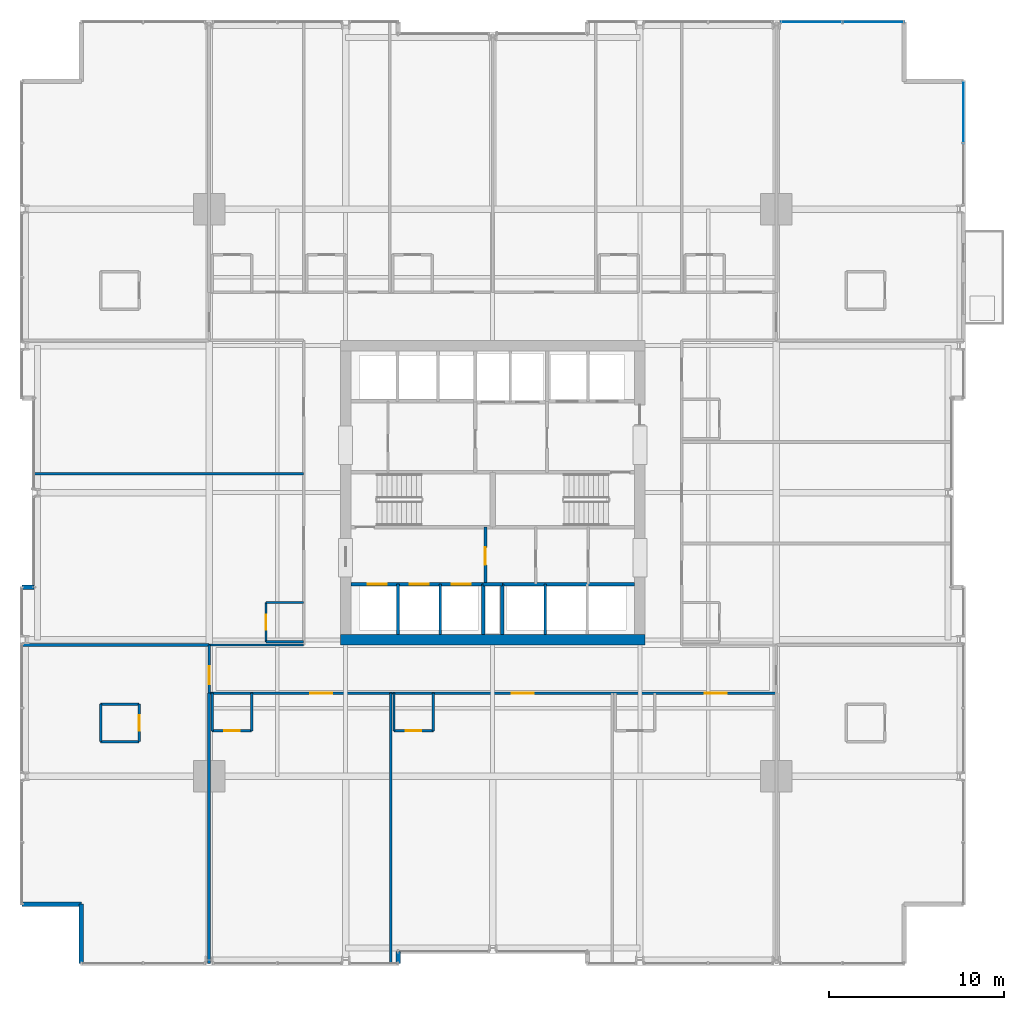
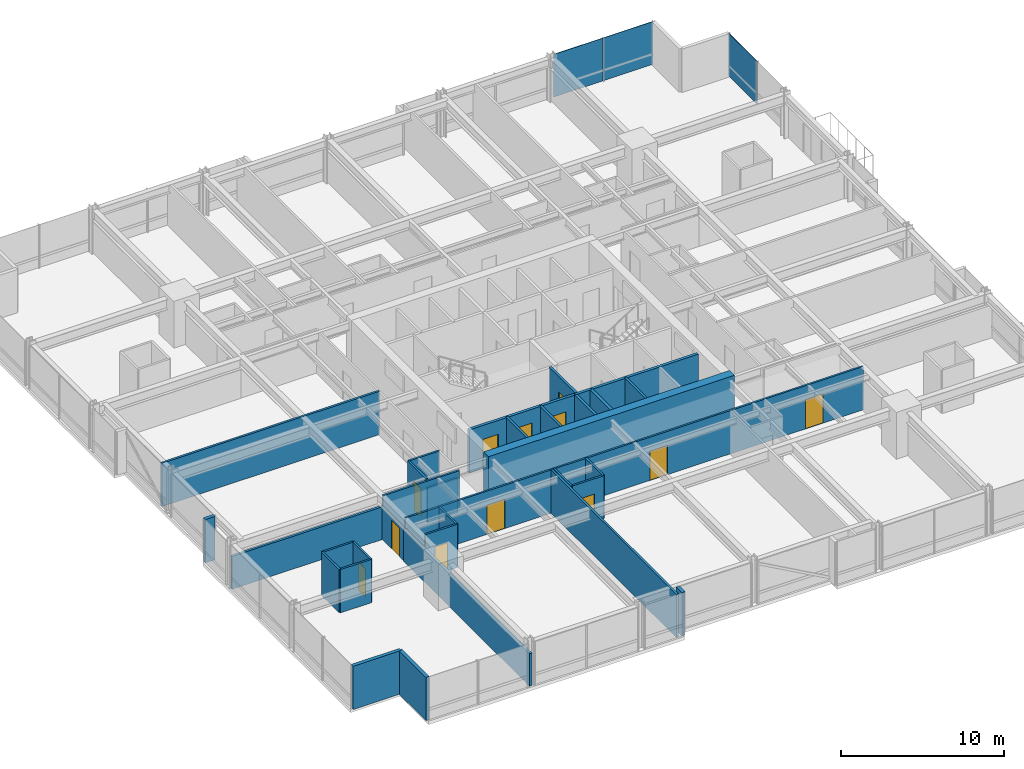
# One storey, part 30 of 38: 34 walls, 12 doors, 3 plates, 12 openings, 2 elements without a shape of their own.
"""IFC4 building model written with IfcOpenShell, lengths in metres."""

from ifc_helpers import new_model, si_unit, direction, frame, frame_2d, origin, origin_2d, place, context, subcontext, project, spatial, rectangle, extrude, material, layer, layer_set, type_object, element, fill, aggregate, save


model = new_model("IFC4")

# Units and contexts
model_context = context("Model", 3, precision=1e-05, world=origin(), true_north=direction((0.0, 1.0)))
body_context = subcontext(model_context, "Body", "Model", "MODEL_VIEW")
ifc_project = project(units=[si_unit("LENGTHUNIT", "METRE"), si_unit("AREAUNIT", "SQUARE_METRE"), si_unit("VOLUMEUNIT", "CUBIC_METRE"), si_unit("PLANEANGLEUNIT", "RADIAN"), si_unit("MASSUNIT", "GRAM", prefix="KILO")], contexts=[model_context])

# Site, building, storey
site_placement = place(None, origin())
site = spatial("IfcSite", under=ifc_project, at=site_placement, CompositionType="ELEMENT")
building_placement = place(site_placement, origin())
building = spatial("IfcBuilding", under=site, at=building_placement, Name="Drelvath Grand Hotel", CompositionType="ELEMENT")
storey_placement = place(building_placement, frame((0.0, 0.0, 71.699951171875)))
storey = spatial("IfcBuildingStorey", under=building, at=storey_placement, Name="L17", CompositionType="ELEMENT", Elevation=71.699951171875)

# Curtain wall, plate
ifc_material_1 = material(Name="Warm Bronze Anodised Aluminium Frame", Category="aluminium")
ifc_layer_1 = layer(ifc_material_1, 0.199951171875)
ifc_layer_set_1 = layer_set([ifc_layer_1], Name="Warm Bronze Anodised Aluminium Frame")
curtain_wall_type = type_object("IfcCurtainWallType", Name="Stick Curtain Wall CW-02 Warm Bronze Low-Rise", PredefinedType="NOTDEFINED", material=ifc_layer_set_1)
curtain_wall_1_placement = place(storey_placement, origin())
curtain_wall_1 = element("IfcCurtainWall", 1, at=curtain_wall_1_placement, inside=storey, type_object=curtain_wall_type, Name="L17 CW-02 Curtain Wall CW02-L17-EN3", PredefinedType="NOTDEFINED")
ifc_material_2 = material(Name="Low-E Triple Silver Vision Glass Bronze Tint", Category="glass")
ifc_layer_2 = layer(ifc_material_2, 0.035888671875)
ifc_layer_set_2 = layer_set([ifc_layer_2], Name="Low-E Triple Silver Vision Glass Bronze Tint")
plate_type = type_object("IfcPlateType", Name="Curtain Wall Vision Panel CW-02 36mm", PredefinedType="CURTAIN_PANEL", material=ifc_layer_set_2)
plate_1_placement = place(storey_placement, frame((26.8798828125, 48.732421875, 0.02001953125), z_axis=(0.0, 0.0, 1.0), x_axis=(0.0, -1.0, 0.0)))
plate_1 = element("IfcPlate", 2, at=plate_1_placement, type_object=plate_type, Name="CW02-L17-EN3 Glazed Panel 1", PredefinedType="CURTAIN_PANEL", context=body_context, shape_type="SweptSolid", body=[
    extrude(rectangle(XDim=3.49560546875, YDim=0.035888671875, at=origin_2d()), origin(), (0.0, 0.0, 1.0), 3.199951171875),
])
aggregate(curtain_wall_1, [plate_1])

# Curtain wall, plates
curtain_wall_2_placement = place(storey_placement, origin())
curtain_wall_2 = element("IfcCurtainWall", 3, at=curtain_wall_2_placement, inside=storey, type_object=curtain_wall_type, Name="L17 CW-02 Curtain Wall CW02-L17-NE3", PredefinedType="NOTDEFINED")
plate_2_placement = place(storey_placement, frame((18.19677734375, 53.8798828125, 0.02001953125), z_axis=(0.0, 0.0, 1.0), x_axis=(1.0, 0.0, 0.0)))
plate_2 = element("IfcPlate", 4, at=plate_2_placement, type_object=plate_type, Name="CW02-L17-NE3 Glazed Panel 1", PredefinedType="CURTAIN_PANEL", context=body_context, shape_type="SweptSolid", body=[
    extrude(rectangle(XDim=3.49560546875, YDim=0.035888671875, at=origin_2d()), origin(), (0.0, 0.0, 1.0), 3.199951171875),
])
plate_3_placement = place(storey_placement, frame((21.732421875, 53.8798828125, 0.02001953125), z_axis=(0.0, 0.0, 1.0), x_axis=(1.0, 0.0, 0.0)))
plate_3 = element("IfcPlate", 5, at=plate_3_placement, type_object=plate_type, Name="CW02-L17-NE3 Glazed Panel 2", PredefinedType="CURTAIN_PANEL", context=body_context, shape_type="SweptSolid", body=[
    extrude(rectangle(XDim=3.49560546875, YDim=0.035888671875, at=origin_2d()), origin(), (0.0, 0.0, 1.0), 3.199951171875),
])
aggregate(curtain_wall_2, [plate_2, plate_3])

# Wall, openings, doors
ifc_material_3 = material(Name="Concrete C40/50", Category="concrete")
ifc_layer_3 = layer(ifc_material_3, 0.199951171875)
ifc_layer_set_3 = layer_set([ifc_layer_3], Name="Concrete C40/50")
wall_type_1 = type_object("IfcWallType", Name="Core Hoistway Fire Wall 200", PredefinedType="SOLIDWALL", material=ifc_layer_set_3)
wall_1_placement = place(storey_placement, frame((-0.550048828125, 21.780029296875, 0.0), z_axis=(0.0, 0.0, 1.0), x_axis=(-1.0, 0.0, 0.0)))
wall_1 = element("IfcWall", 6, at=wall_1_placement, inside=storey, type_object=wall_type_1, Name="L17 Bank 1 Hoistway Wall", PredefinedType="SOLIDWALL", context=body_context, shape_type="SweptSolid", body=[
    extrude(rectangle(XDim=7.550048828125, YDim=0.199951171875, at=frame_2d((3.77490234375, 0.0))), origin(), (0.0, 0.0, 1.0), 3.239990234375),
])
opening_1_placement = place(wall_1_placement, frame((5.5, 0.0, 0.0)))
opening_1 = element("IfcOpeningElement", 7, at=opening_1_placement, cuts=wall_1, Name="Opening LD-PE-1", PredefinedType="OPENING", context=body_context, shape_type="SweptSolid", body=[
    extrude(rectangle(XDim=1.10009765625, YDim=2.199951171875, at=frame_2d((0.550048828125, 1.10009765625))), frame((0.0, 0.10986328125, 0.0), z_axis=(0.0, -1.0, 0.0), x_axis=(1.0, 0.0, 0.0)), (0.0, 0.0, 1.0), 0.219970703125),
])
opening_2_placement = place(wall_1_placement, frame((3.10009765625, 0.0, 0.0)))
opening_2 = element("IfcOpeningElement", 8, at=opening_2_placement, cuts=wall_1, Name="Opening LD-PE-2", PredefinedType="OPENING", context=body_context, shape_type="SweptSolid", body=[
    extrude(rectangle(XDim=1.10009765625, YDim=2.199951171875, at=frame_2d((0.550048828125, 1.10009765625))), frame((0.0, 0.10986328125, 0.0), z_axis=(0.0, -1.0, 0.0), x_axis=(1.0, 0.0, 0.0)), (0.0, 0.0, 1.0), 0.219970703125),
])
opening_3_placement = place(wall_1_placement, frame((0.699951171875, 0.0, 0.0)))
opening_3 = element("IfcOpeningElement", 9, at=opening_3_placement, cuts=wall_1, Name="Opening LD-PE-3", PredefinedType="OPENING", context=body_context, shape_type="SweptSolid", body=[
    extrude(rectangle(XDim=1.10009765625, YDim=2.199951171875, at=frame_2d((0.550048828125, 1.10009765625))), frame((0.0, 0.10986328125, 0.0), z_axis=(0.0, -1.0, 0.0), x_axis=(1.0, 0.0, 0.0)), (0.0, 0.0, 1.0), 0.219970703125),
])
ifc_material_4 = material(Name="Stainless Steel S355", Category="steel")
door_type_1 = type_object("IfcDoorType", Name="Passenger Lift Sliding Landing Door 1100x2200", OperationType="NOTDEFINED", PredefinedType="DOOR", material=ifc_material_4)
door_1_placement = place(opening_1_placement, origin())
door_1 = element("IfcDoor", 10, at=door_1_placement, inside=storey, type_object=door_type_1, Name="L17 Lift PE-1 Landing Door", OperationType="SLIDING_TO_LEFT", OverallHeight=2.199951171875, OverallWidth=1.10009765625, PredefinedType="DOOR", context=body_context, shape_type="SweptSolid", body=[
    extrude(rectangle(XDim=1.10009765625, YDim=2.199951171875, at=frame_2d((0.550048828125, 1.10009765625))), frame((0.0, 0.02490234375, 0.0), z_axis=(0.0, -1.0, 0.0), x_axis=(1.0, 0.0, 0.0)), (0.0, 0.0, 1.0), 0.050048828125),
])
fill(opening_1, door_1)
door_2_placement = place(opening_2_placement, origin())
door_2 = element("IfcDoor", 11, at=door_2_placement, inside=storey, type_object=door_type_1, Name="L17 Lift PE-2 Landing Door", OperationType="SLIDING_TO_LEFT", OverallHeight=2.199951171875, OverallWidth=1.10009765625, PredefinedType="DOOR", context=body_context, shape_type="SweptSolid", body=[
    extrude(rectangle(XDim=1.10009765625, YDim=2.199951171875, at=frame_2d((0.550048828125, 1.10009765625))), frame((0.0, 0.02490234375, 0.0), z_axis=(0.0, -1.0, 0.0), x_axis=(1.0, 0.0, 0.0)), (0.0, 0.0, 1.0), 0.050048828125),
])
fill(opening_2, door_2)
door_3_placement = place(opening_3_placement, origin())
door_3 = element("IfcDoor", 12, at=door_3_placement, inside=storey, type_object=door_type_1, Name="L17 Lift PE-3 Landing Door", OperationType="SLIDING_TO_LEFT", OverallHeight=2.199951171875, OverallWidth=1.10009765625, PredefinedType="DOOR", context=body_context, shape_type="SweptSolid", body=[
    extrude(rectangle(XDim=1.10009765625, YDim=2.199951171875, at=frame_2d((0.550048828125, 1.10009765625))), frame((0.0, 0.02490234375, 0.0), z_axis=(0.0, -1.0, 0.0), x_axis=(1.0, 0.0, 0.0)), (0.0, 0.0, 1.0), 0.050048828125),
])
fill(opening_3, door_3)

# Walls
wall_2_placement = place(storey_placement, frame((-0.550048828125, 18.89990234375, 0.0), z_axis=(0.0, 0.0, 1.0), x_axis=(0.0, 1.0, 0.0)))
element("IfcWall", 13, at=wall_2_placement, inside=storey, type_object=wall_type_1, Name="L17 Bank 1 East Wall", PredefinedType="SOLIDWALL", context=body_context, shape_type="SweptSolid", body=[
    extrude(rectangle(XDim=2.880126953125, YDim=0.199951171875, at=frame_2d((1.43994140625, 0.0))), origin(), (0.0, 0.0, 1.0), 3.239990234375),
])
wall_3_placement = place(storey_placement, frame((8.10009765625, 21.780029296875, 0.0), z_axis=(0.0, 0.0, 1.0), x_axis=(-1.0, 0.0, 0.0)))
element("IfcWall", 14, at=wall_3_placement, inside=storey, type_object=wall_type_1, Name="L17 Bank 2 Hoistway Wall", PredefinedType="SOLIDWALL", context=body_context, shape_type="SweptSolid", body=[
    extrude(rectangle(XDim=7.550048828125, YDim=0.199951171875, at=frame_2d((3.77490234375, 0.0))), origin(), (0.0, 0.0, 1.0), 3.239990234375),
])
wall_4_placement = place(storey_placement, frame((0.550048828125, 18.89990234375, 0.0), z_axis=(0.0, 0.0, 1.0), x_axis=(0.0, 1.0, 0.0)))
element("IfcWall", 15, at=wall_4_placement, inside=storey, type_object=wall_type_1, Name="L17 Bank 2 West Wall", PredefinedType="SOLIDWALL", context=body_context, shape_type="SweptSolid", body=[
    extrude(rectangle(XDim=2.880126953125, YDim=0.199951171875, at=frame_2d((1.43994140625, 0.0))), origin(), (0.0, 0.0, 1.0), 3.239990234375),
])
wall_5_placement = place(storey_placement, frame((-0.550048828125, 21.780029296875, 0.0), z_axis=(0.0, 0.0, 1.0), x_axis=(1.0, 0.0, 0.0)))
element("IfcWall", 16, at=wall_5_placement, inside=storey, type_object=wall_type_1, Name="L17 Core Riser Wall", PredefinedType="SOLIDWALL", context=body_context, shape_type="SweptSolid", body=[
    extrude(rectangle(XDim=1.10009765625, YDim=0.199951171875, at=frame_2d((0.550048828125, 0.0))), origin(), (0.0, 0.0, 1.0), 3.239990234375),
])
ifc_material_5 = material(Name="Gypsum Fireboard Partition")
ifc_layer_4 = layer(ifc_material_5, 0.1650390625)
ifc_layer_set_4 = layer_set([ifc_layer_4], Name="Gypsum Fireboard Partition")
wall_type_2 = type_object("IfcWallType", Name="Core Shaft Partition 165", PredefinedType="PARTITIONING", material=ifc_layer_set_4)
for number, where, z_axis, x_axis, name in (
    (17, (-5.39990234375, 18.89990234375, 0.0), (0.0, 0.0, 1.0), (0.0, 1.0, 0.0), "L17 Lift PE-1/2 Divider"),
    (18, (-3.0, 18.89990234375, 0.0), (0.0, 0.0, 1.0), (0.0, 1.0, 0.0), "L17 Lift PE-2/3 Divider"),
    (19, (3.0, 18.89990234375, 0.0), (0.0, 0.0, 1.0), (0.0, 1.0, 0.0), "L17 Lift PE-4/5 Divider"),
):
    element("IfcWall", number, at=place(storey_placement, frame(where, z_axis=z_axis, x_axis=x_axis)), inside=storey, type_object=wall_type_2, Name=name, PredefinedType="PARTITIONING", context=body_context, shape_type="SweptSolid", body=[
        extrude(rectangle(XDim=2.880126953125, YDim=0.1650390625, at=frame_2d((1.43994140625, 0.0))), origin(), (0.0, 0.0, 1.0), 3.239990234375),
    ])

# Wall, openings, doors
ifc_layer_5 = layer(ifc_material_5, 0.135009765625)
ifc_layer_set_5 = layer_set([ifc_layer_5], Name="Gypsum Fireboard Partition")
wall_type_3 = type_object("IfcWallType", Name="Corridor Fire Barrier Wall 135", PredefinedType="PARTITIONING", material=ifc_layer_set_5)
wall_6_placement = place(storey_placement, frame((-16.199951171875, 15.550048828125, 0.0), z_axis=(0.0, 0.0, 1.0), x_axis=(1.0, 0.0, 0.0)))
wall_6 = element("IfcWall", 20, at=wall_6_placement, inside=storey, type_object=wall_type_3, Name="L17 South Corridor Wall", PredefinedType="PARTITIONING", context=body_context, shape_type="SweptSolid", body=[
    extrude(rectangle(XDim=32.39990234375, YDim=0.135009765625, at=frame_2d((16.199951171875, 0.0))), origin(), (0.0, 0.0, 1.0), 3.239990234375),
])
opening_4_placement = place(wall_6_placement, frame((5.77490234375, 0.0, 0.0)))
opening_4 = element("IfcOpeningElement", 21, at=opening_4_placement, cuts=wall_6, Name="Opening D-T1G4-027", PredefinedType="OPENING", context=body_context, shape_type="SweptSolid", body=[
    extrude(rectangle(XDim=1.260009765625, YDim=2.199951171875, at=frame_2d((0.6298828125, 1.10009765625))), frame((0.0, 0.077392578125, 0.0), z_axis=(0.0, -1.0, 0.0), x_axis=(1.0, 0.0, 0.0)), (0.0, 0.0, 1.0), 0.155029296875),
])
opening_5_placement = place(wall_6_placement, frame((17.28564453125, 0.0, 0.0)))
opening_5 = element("IfcOpeningElement", 22, at=opening_5_placement, cuts=wall_6, Name="Opening D-T1G4-029", PredefinedType="OPENING", context=body_context, shape_type="SweptSolid", body=[
    extrude(rectangle(XDim=1.260009765625, YDim=2.199951171875, at=frame_2d((0.6298828125, 1.10009765625))), frame((0.0, 0.077392578125, 0.0), z_axis=(0.0, -1.0, 0.0), x_axis=(1.0, 0.0, 0.0)), (0.0, 0.0, 1.0), 0.155029296875),
])
opening_6_placement = place(wall_6_placement, frame((28.29541015625, 0.0, 0.0)))
opening_6 = element("IfcOpeningElement", 23, at=opening_6_placement, cuts=wall_6, Name="Opening D-T1G4-031", PredefinedType="OPENING", context=body_context, shape_type="SweptSolid", body=[
    extrude(rectangle(XDim=1.260009765625, YDim=2.199951171875, at=frame_2d((0.6298828125, 1.10009765625))), frame((0.0, 0.077392578125, 0.0), z_axis=(0.0, -1.0, 0.0), x_axis=(1.0, 0.0, 0.0)), (0.0, 0.0, 1.0), 0.155029296875),
])
ifc_material_6 = material(Name="Hardwood Walnut Timber", Category="wood")
door_type_2 = type_object("IfcDoorType", Name="Suite Entrance Fire Door 1260x2200", OperationType="NOTDEFINED", PredefinedType="DOOR", material=ifc_material_6)
door_4_placement = place(opening_4_placement, origin())
door_4 = element("IfcDoor", 24, at=door_4_placement, inside=storey, type_object=door_type_2, Name="L17 Corner Suite Entry Door", OperationType="SINGLE_SWING_RIGHT", OverallHeight=2.199951171875, OverallWidth=1.260009765625, PredefinedType="DOOR", context=body_context, shape_type="SweptSolid", body=[
    extrude(rectangle(XDim=1.260009765625, YDim=2.199951171875, at=frame_2d((0.6298828125, 1.10009765625))), frame((0.0, 0.02490234375, 0.0), z_axis=(0.0, -1.0, 0.0), x_axis=(1.0, 0.0, 0.0)), (0.0, 0.0, 1.0), 0.050048828125),
])
fill(opening_4, door_4)
door_5_placement = place(opening_5_placement, origin())
door_5 = element("IfcDoor", 25, at=door_5_placement, inside=storey, type_object=door_type_2, Name="L17 Corner Suite Entry Door", OperationType="SINGLE_SWING_RIGHT", OverallHeight=2.199951171875, OverallWidth=1.260009765625, PredefinedType="DOOR", context=body_context, shape_type="SweptSolid", body=[
    extrude(rectangle(XDim=1.260009765625, YDim=2.199951171875, at=frame_2d((0.6298828125, 1.10009765625))), frame((0.0, 0.02490234375, 0.0), z_axis=(0.0, -1.0, 0.0), x_axis=(1.0, 0.0, 0.0)), (0.0, 0.0, 1.0), 0.050048828125),
])
fill(opening_5, door_5)
door_6_placement = place(opening_6_placement, origin())
door_6 = element("IfcDoor", 26, at=door_6_placement, inside=storey, type_object=door_type_2, Name="L17 Corner Suite Entry Door", OperationType="SINGLE_SWING_RIGHT", OverallHeight=2.199951171875, OverallWidth=1.260009765625, PredefinedType="DOOR", context=body_context, shape_type="SweptSolid", body=[
    extrude(rectangle(XDim=1.260009765625, YDim=2.199951171875, at=frame_2d((0.6298828125, 1.10009765625))), frame((0.0, 0.02490234375, 0.0), z_axis=(0.0, -1.0, 0.0), x_axis=(1.0, 0.0, 0.0)), (0.0, 0.0, 1.0), 0.050048828125),
])
fill(opening_6, door_6)

# Wall
wall_7_placement = place(storey_placement, frame((-16.199951171875, 18.300048828125, 0.0), z_axis=(0.0, 0.0, 1.0), x_axis=(1.0, 0.0, 0.0)))
element("IfcWall", 27, at=wall_7_placement, inside=storey, type_object=wall_type_3, Name="L17 SW Spur Inner Wall", PredefinedType="PARTITIONING", context=body_context, shape_type="SweptSolid", body=[
    extrude(rectangle(XDim=5.39990234375, YDim=0.135009765625, at=frame_2d((2.699951171875, 0.0))), origin(), (0.0, 0.0, 1.0), 3.239990234375),
])

# Wall, opening, door
wall_8_placement = place(storey_placement, frame((-16.199951171875, 15.550048828125, 0.0), z_axis=(0.0, 0.0, 1.0), x_axis=(0.0, 1.0, 0.0)))
wall_8 = element("IfcWall", 28, at=wall_8_placement, inside=storey, type_object=wall_type_3, Name="L17 South Corridor West End", PredefinedType="PARTITIONING", context=body_context, shape_type="SweptSolid", body=[
    extrude(rectangle(XDim=2.75, YDim=0.135009765625, at=frame_2d((1.375, 0.0))), origin(), (0.0, 0.0, 1.0), 2.451904296875),
])
opening_7_placement = place(wall_8_placement, frame((0.52001953125, 0.0, 0.0)))
opening_7 = element("IfcOpeningElement", 29, at=opening_7_placement, cuts=wall_8, Name="Opening D-T1G4-019", PredefinedType="OPENING", context=body_context, shape_type="SweptSolid", body=[
    extrude(rectangle(XDim=1.02001953125, YDim=2.14990234375, at=frame_2d((0.510009765625, 1.074951171875))), frame((0.0, 0.077392578125, 0.0), z_axis=(0.0, -1.0, 0.0), x_axis=(1.0, 0.0, 0.0)), (0.0, 0.0, 1.0), 0.155029296875),
])
door_type_3 = type_object("IfcDoorType", Name="Amenity Meeting Fire Door 1020x2150", OperationType="NOTDEFINED", PredefinedType="DOOR", material=ifc_material_6)
door_7_placement = place(opening_7_placement, origin())
door_7 = element("IfcDoor", 30, at=door_7_placement, inside=storey, type_object=door_type_3, Name="L17 Corner Suite Entry Door", OperationType="SINGLE_SWING_RIGHT", OverallHeight=2.14990234375, OverallWidth=1.02001953125, PredefinedType="DOOR", context=body_context, shape_type="SweptSolid", body=[
    extrude(rectangle(XDim=1.02001953125, YDim=2.14990234375, at=frame_2d((0.510009765625, 1.074951171875))), frame((0.0, 0.02490234375, 0.0), z_axis=(0.0, -1.0, 0.0), x_axis=(1.0, 0.0, 0.0)), (0.0, 0.0, 1.0), 0.050048828125),
])
fill(opening_7, door_7)

# Walls
ifc_material_7 = material(Name="Moisture-Resistant Gypsum Board")
ifc_layer_6 = layer(ifc_material_7, 0.139892578125)
ifc_layer_set_6 = layer_set([ifc_layer_6], Name="Moisture-Resistant Gypsum Board")
wall_type_4 = type_object("IfcWallType", Name="En-Suite Plumbing Wall 140", PredefinedType="PLUMBINGWALL", material=ifc_layer_set_6)
for number, where, z_axis, x_axis, name in (
    (31, (-22.39990234375, 12.780029296875, 0.0), (0.0, 0.0, 1.0), (1.0, 0.0, 0.0), "L17 Corner En-Suite South"),
    (32, (-22.39990234375, 14.929931640625, 0.0), (0.0, 0.0, 1.0), (1.0, 0.0, 0.0), "L17 Corner En-Suite North"),
):
    element("IfcWall", number, at=place(storey_placement, frame(where, z_axis=z_axis, x_axis=x_axis)), inside=storey, type_object=wall_type_4, Name=name, PredefinedType="PLUMBINGWALL", context=body_context, shape_type="SweptSolid", body=[
        extrude(rectangle(XDim=2.199951171875, YDim=0.139892578125, at=frame_2d((1.10009765625, 0.0))), origin(), (0.0, 0.0, 1.0), 3.239990234375),
    ])
wall_9_placement = place(storey_placement, frame((-22.39990234375, 12.780029296875, 0.0), z_axis=(0.0, 0.0, 1.0), x_axis=(0.0, 1.0, 0.0)))
element("IfcWall", 33, at=wall_9_placement, inside=storey, type_object=wall_type_4, Name="L17 Corner En-Suite West", PredefinedType="PLUMBINGWALL", context=body_context, shape_type="SweptSolid", body=[
    extrude(rectangle(XDim=2.14990234375, YDim=0.139892578125, at=frame_2d((1.074951171875, 0.0))), origin(), (0.0, 0.0, 1.0), 3.239990234375),
])

# Wall, opening, door
wall_10_placement = place(storey_placement, frame((-20.199951171875, 12.780029296875, 0.0), z_axis=(0.0, 0.0, 1.0), x_axis=(0.0, 1.0, 0.0)))
wall_10 = element("IfcWall", 34, at=wall_10_placement, inside=storey, type_object=wall_type_4, Name="L17 Corner En-Suite East", PredefinedType="PLUMBINGWALL", context=body_context, shape_type="SweptSolid", body=[
    extrude(rectangle(XDim=2.14990234375, YDim=0.139892578125, at=frame_2d((1.074951171875, 0.0))), origin(), (0.0, 0.0, 1.0), 3.239990234375),
])
opening_8_placement = place(wall_10_placement, frame((0.6201171875, 0.0, 0.0)))
opening_8 = element("IfcOpeningElement", 35, at=opening_8_placement, cuts=wall_10, Name="Opening D-T1G4-018", PredefinedType="OPENING", context=body_context, shape_type="SweptSolid", body=[
    extrude(rectangle(XDim=0.8798828125, YDim=2.10009765625, at=frame_2d((0.43994140625, 1.050048828125))), frame((0.0, 0.079833984375, 0.0), z_axis=(0.0, -1.0, 0.0), x_axis=(1.0, 0.0, 0.0)), (0.0, 0.0, 1.0), 0.159912109375),
])
door_type_4 = type_object("IfcDoorType", Name="En-Suite Bathroom Door 880x2100", OperationType="NOTDEFINED", PredefinedType="DOOR", material=ifc_material_6)
door_8_placement = place(opening_8_placement, origin())
door_8 = element("IfcDoor", 36, at=door_8_placement, inside=storey, type_object=door_type_4, Name="L17 Corner En-Suite Door", OperationType="SINGLE_SWING_LEFT", OverallHeight=2.10009765625, OverallWidth=0.8798828125, PredefinedType="DOOR", context=body_context, shape_type="SweptSolid", body=[
    extrude(rectangle(XDim=0.8798828125, YDim=2.10009765625, at=frame_2d((0.43994140625, 1.050048828125))), frame((0.0, 0.02490234375, 0.0), z_axis=(0.0, -1.0, 0.0), x_axis=(1.0, 0.0, 0.0)), (0.0, 0.0, 1.0), 0.050048828125),
])
fill(opening_8, door_8)

# Walls
wall_11_placement = place(storey_placement, frame((-16.02001953125, 15.550048828125, 0.0), z_axis=(0.0, 0.0, 1.0), x_axis=(0.0, -1.0, 0.0)))
element("IfcWall", 37, at=wall_11_placement, inside=storey, type_object=wall_type_4, Name="L17 En-Suite Left Wall", PredefinedType="PLUMBINGWALL", context=body_context, shape_type="SweptSolid", body=[
    extrude(rectangle(XDim=2.150146484375, YDim=0.139892578125, at=frame_2d((1.0751953125, 0.0))), origin(), (0.0, 0.0, 1.0), 2.451904296875),
])
wall_12_placement = place(storey_placement, frame((-13.77001953125, 15.550048828125, 0.0), z_axis=(0.0, 0.0, 1.0), x_axis=(0.0, -1.0, 0.0)))
element("IfcWall", 38, at=wall_12_placement, inside=storey, type_object=wall_type_4, Name="L17 En-Suite Right Wall", PredefinedType="PLUMBINGWALL", context=body_context, shape_type="SweptSolid", body=[
    extrude(rectangle(XDim=2.150146484375, YDim=0.139892578125, at=frame_2d((1.0751953125, 0.0))), origin(), (0.0, 0.0, 1.0), 3.239990234375),
])

# Wall, opening, door
wall_13_placement = place(storey_placement, frame((-16.02001953125, 13.39990234375, 0.0), z_axis=(0.0, 0.0, 1.0), x_axis=(1.0, 0.0, 0.0)))
wall_13 = element("IfcWall", 39, at=wall_13_placement, inside=storey, type_object=wall_type_4, Name="L17 En-Suite Front Wall", PredefinedType="PLUMBINGWALL", context=body_context, shape_type="SweptSolid", body=[
    extrude(rectangle(XDim=2.25, YDim=0.139892578125, at=frame_2d((1.125, 0.0))), origin(), (0.0, 0.0, 1.0), 3.239990234375),
])
opening_9_placement = place(wall_13_placement, frame((0.68505859375, 0.0, 0.0)))
opening_9 = element("IfcOpeningElement", 40, at=opening_9_placement, cuts=wall_13, Name="Opening D-T1G4-026", PredefinedType="OPENING", context=body_context, shape_type="SweptSolid", body=[
    extrude(rectangle(XDim=0.8798828125, YDim=2.10009765625, at=frame_2d((0.43994140625, 1.050048828125))), frame((0.0, 0.079833984375, 0.0), z_axis=(0.0, -1.0, 0.0), x_axis=(1.0, 0.0, 0.0)), (0.0, 0.0, 1.0), 0.159912109375),
])
door_9_placement = place(opening_9_placement, origin())
door_9 = element("IfcDoor", 41, at=door_9_placement, inside=storey, type_object=door_type_4, Name="L17 En-Suite Bathroom Door", OperationType="SINGLE_SWING_LEFT", OverallHeight=2.10009765625, OverallWidth=0.8798828125, PredefinedType="DOOR", context=body_context, shape_type="SweptSolid", body=[
    extrude(rectangle(XDim=0.8798828125, YDim=2.10009765625, at=frame_2d((0.43994140625, 1.050048828125))), frame((0.0, 0.02490234375, 0.0), z_axis=(0.0, -1.0, 0.0), x_axis=(1.0, 0.0, 0.0)), (0.0, 0.0, 1.0), 0.050048828125),
])
fill(opening_9, door_9)

# Walls
for number, where, z_axis, x_axis, name in (
    (42, (-5.639892578125, 15.550048828125, 0.0), (0.0, 0.0, 1.0), (0.0, -1.0, 0.0), "L17 En-Suite Left Wall"),
    (43, (-3.389892578125, 15.550048828125, 0.0), (0.0, 0.0, 1.0), (0.0, -1.0, 0.0), "L17 En-Suite Right Wall"),
):
    element("IfcWall", number, at=place(storey_placement, frame(where, z_axis=z_axis, x_axis=x_axis)), inside=storey, type_object=wall_type_4, Name=name, PredefinedType="PLUMBINGWALL", context=body_context, shape_type="SweptSolid", body=[
        extrude(rectangle(XDim=2.150146484375, YDim=0.139892578125, at=frame_2d((1.0751953125, 0.0))), origin(), (0.0, 0.0, 1.0), 3.239990234375),
    ])

# Wall, opening, door
wall_14_placement = place(storey_placement, frame((-5.639892578125, 13.39990234375, 0.0), z_axis=(0.0, 0.0, 1.0), x_axis=(1.0, 0.0, 0.0)))
wall_14 = element("IfcWall", 44, at=wall_14_placement, inside=storey, type_object=wall_type_4, Name="L17 En-Suite Front Wall", PredefinedType="PLUMBINGWALL", context=body_context, shape_type="SweptSolid", body=[
    extrude(rectangle(XDim=2.25, YDim=0.139892578125, at=frame_2d((1.125, 0.0))), origin(), (0.0, 0.0, 1.0), 3.239990234375),
])
opening_10_placement = place(wall_14_placement, frame((0.68505859375, 0.0, 0.0)))
opening_10 = element("IfcOpeningElement", 45, at=opening_10_placement, cuts=wall_14, Name="Opening D-T1G4-028", PredefinedType="OPENING", context=body_context, shape_type="SweptSolid", body=[
    extrude(rectangle(XDim=0.8798828125, YDim=2.10009765625, at=frame_2d((0.43994140625, 1.050048828125))), frame((0.0, 0.079833984375, 0.0), z_axis=(0.0, -1.0, 0.0), x_axis=(1.0, 0.0, 0.0)), (0.0, 0.0, 1.0), 0.159912109375),
])
door_10_placement = place(opening_10_placement, origin())
door_10 = element("IfcDoor", 46, at=door_10_placement, inside=storey, type_object=door_type_4, Name="L17 En-Suite Bathroom Door", OperationType="SINGLE_SWING_LEFT", OverallHeight=2.10009765625, OverallWidth=0.8798828125, PredefinedType="DOOR", context=body_context, shape_type="SweptSolid", body=[
    extrude(rectangle(XDim=0.8798828125, YDim=2.10009765625, at=frame_2d((0.43994140625, 1.050048828125))), frame((0.0, 0.02490234375, 0.0), z_axis=(0.0, -1.0, 0.0), x_axis=(1.0, 0.0, 0.0)), (0.0, 0.0, 1.0), 0.050048828125),
])
fill(opening_10, door_10)

# Walls
wall_15_placement = place(storey_placement, frame((-10.800048828125, 18.47998046875, 0.0), z_axis=(0.0, 0.0, 1.0), x_axis=(-1.0, 0.0, 0.0)))
element("IfcWall", 47, at=wall_15_placement, inside=storey, type_object=wall_type_4, Name="L17 En-Suite Left Wall", PredefinedType="PLUMBINGWALL", context=body_context, shape_type="SweptSolid", body=[
    extrude(rectangle(XDim=2.14990234375, YDim=0.139892578125, at=frame_2d((1.074951171875, 0.0))), origin(), (0.0, 0.0, 1.0), 2.617431640625),
])
wall_16_placement = place(storey_placement, frame((-10.800048828125, 20.72998046875, 0.0), z_axis=(0.0, 0.0, 1.0), x_axis=(-1.0, 0.0, 0.0)))
element("IfcWall", 48, at=wall_16_placement, inside=storey, type_object=wall_type_4, Name="L17 En-Suite Right Wall", PredefinedType="PLUMBINGWALL", context=body_context, shape_type="SweptSolid", body=[
    extrude(rectangle(XDim=2.14990234375, YDim=0.139892578125, at=frame_2d((1.074951171875, 0.0))), origin(), (0.0, 0.0, 1.0), 3.239990234375),
])

# Wall, opening, door
wall_17_placement = place(storey_placement, frame((-12.949951171875, 18.47998046875, 0.0), z_axis=(0.0, 0.0, 1.0), x_axis=(0.0, 1.0, 0.0)))
wall_17 = element("IfcWall", 49, at=wall_17_placement, inside=storey, type_object=wall_type_4, Name="L17 En-Suite Front Wall", PredefinedType="PLUMBINGWALL", context=body_context, shape_type="SweptSolid", body=[
    extrude(rectangle(XDim=2.25, YDim=0.139892578125, at=frame_2d((1.125, 0.0))), origin(), (0.0, 0.0, 1.0), 3.239990234375),
])
opening_11_placement = place(wall_17_placement, frame((0.68505859375, 0.0, 0.0)))
opening_11 = element("IfcOpeningElement", 50, at=opening_11_placement, cuts=wall_17, Name="Opening D-T1G4-043", PredefinedType="OPENING", context=body_context, shape_type="SweptSolid", body=[
    extrude(rectangle(XDim=0.8798828125, YDim=2.10009765625, at=frame_2d((0.43994140625, 1.050048828125))), frame((0.0, 0.079833984375, 0.0), z_axis=(0.0, -1.0, 0.0), x_axis=(1.0, 0.0, 0.0)), (0.0, 0.0, 1.0), 0.159912109375),
])
door_11_placement = place(opening_11_placement, origin())
door_11 = element("IfcDoor", 51, at=door_11_placement, inside=storey, type_object=door_type_4, Name="L17 En-Suite Bathroom Door", OperationType="SINGLE_SWING_RIGHT", OverallHeight=2.10009765625, OverallWidth=0.8798828125, PredefinedType="DOOR", context=body_context, shape_type="SweptSolid", body=[
    extrude(rectangle(XDim=0.8798828125, YDim=2.10009765625, at=frame_2d((0.43994140625, 1.050048828125))), frame((0.0, 0.02490234375, 0.0), z_axis=(0.0, -1.0, 0.0), x_axis=(1.0, 0.0, 0.0)), (0.0, 0.0, 1.0), 0.050048828125),
])
fill(opening_11, door_11)

ifc_layer_7 = layer(ifc_material_5, 0.179931640625)
ifc_layer_set_7 = layer_set([ifc_layer_7], Name="Gypsum Fireboard Partition")
wall_type_5 = type_object("IfcWallType", Name="FSAE Smoke Lobby Fire Wall 180", PredefinedType="SOLIDWALL", material=ifc_layer_set_7)
wall_18_placement = place(storey_placement, frame((-0.419921875, 21.780029296875, 0.0), z_axis=(0.0, 0.0, 1.0), x_axis=(0.0, 1.0, 0.0)))
wall_18 = element("IfcWall", 52, at=wall_18_placement, inside=storey, type_object=wall_type_5, Name="L17 Low-Rise Lobby East Wall", PredefinedType="SOLIDWALL", context=body_context, shape_type="SweptSolid", body=[
    extrude(rectangle(XDim=3.260009765625, YDim=0.179931640625, at=frame_2d((1.6298828125, 0.0))), origin(), (0.0, 0.0, 1.0), 3.239990234375),
])
opening_12_placement = place(wall_18_placement, frame((1.10009765625, 0.0, 0.0)))
opening_12 = element("IfcOpeningElement", 53, at=opening_12_placement, cuts=wall_18, Name="Opening D-T1G4-014", PredefinedType="OPENING", context=body_context, shape_type="SweptSolid", body=[
    extrude(rectangle(XDim=1.0, YDim=2.10009765625, at=frame_2d((0.5, 1.050048828125))), frame((0.0, 0.099853515625, 0.0), z_axis=(0.0, -1.0, 0.0), x_axis=(1.0, 0.0, 0.0)), (0.0, 0.0, 1.0), 0.199951171875),
])
ifc_material_8 = material(Name="Painted Steel S275", Category="steel")
door_type_5 = type_object("IfcDoorType", Name="Core Service Fire Door 1000x2100", OperationType="NOTDEFINED", PredefinedType="DOOR", material=ifc_material_8)
door_12_placement = place(opening_12_placement, origin())
door_12 = element("IfcDoor", 54, at=door_12_placement, inside=storey, type_object=door_type_5, Name="L17 Housekeeping Entry Door", OperationType="SINGLE_SWING_LEFT", OverallHeight=2.10009765625, OverallWidth=1.0, PredefinedType="DOOR", context=body_context, shape_type="SweptSolid", body=[
    extrude(rectangle(XDim=1.0, YDim=2.10009765625, at=frame_2d((0.5, 1.050048828125))), frame((0.0, 0.02490234375, 0.0), z_axis=(0.0, -1.0, 0.0), x_axis=(1.0, 0.0, 0.0)), (0.0, 0.0, 1.0), 0.050048828125),
])
fill(opening_12, door_12)

# Walls
ifc_material_9 = material(Name="Gypsum Acoustic Partition")
ifc_layer_8 = layer(ifc_material_9, 0.14990234375)
ifc_layer_set_8 = layer_set([ifc_layer_8], Name="Gypsum Acoustic Partition")
wall_type_6 = type_object("IfcWallType", Name="Guestroom Demising Wall 150", PredefinedType="PARTITIONING", material=ifc_layer_set_8)
wall_19_placement = place(storey_placement, frame((-5.820068359375, 0.1201171875, 0.0), z_axis=(0.0, 0.0, 1.0), x_axis=(0.0, 1.0, 0.0)))
element("IfcWall", 55, at=wall_19_placement, inside=storey, type_object=wall_type_6, Name="L17 South Demising 1", PredefinedType="PARTITIONING", context=body_context, shape_type="SweptSolid", body=[
    extrude(rectangle(XDim=15.429931640625, YDim=0.14990234375, at=frame_2d((7.71484375, 0.0))), origin(), (0.0, 0.0, 1.0), 3.239990234375),
])
wall_20_placement = place(storey_placement, frame((-26.199951171875, 28.08740234375, 0.0), z_axis=(0.0, 0.0, 1.0), x_axis=(1.0, 0.0, 0.0)))
element("IfcWall", 56, at=wall_20_placement, inside=storey, type_object=wall_type_6, Name="L17 West Demising 1", PredefinedType="PARTITIONING", context=body_context, shape_type="SweptSolid", body=[
    extrude(rectangle(XDim=15.39990234375, YDim=0.14990234375, at=frame_2d((7.699951171875, 0.0))), origin(), (0.0, 0.0, 1.0), 3.239990234375),
])
ifc_material_10 = material(Name="Concrete f'c 70 MPa", Category="concrete")
ifc_layer_9 = layer(ifc_material_10, 0.60009765625)
ifc_layer_set_9 = layer_set([ifc_layer_9], Name="Concrete f'c 70 MPa")
wall_type_7 = type_object("IfcWallType", Name="Lower Core RC Shear Wall 600", PredefinedType="SHEAR", material=ifc_layer_set_9)
wall_21_placement = place(storey_placement, frame((8.699951171875, 18.60009765625, 0.0), z_axis=(0.0, 0.0, 1.0), x_axis=(-1.0, 0.0, 0.0)))
element("IfcWall", 57, at=wall_21_placement, inside=storey, type_object=wall_type_7, Name="L17 Central Core Shear Wall S", PredefinedType="SHEAR", context=body_context, shape_type="SweptSolid", body=[
    extrude(rectangle(XDim=17.39990234375, YDim=0.60009765625, at=frame_2d((8.699951171875, 0.0))), origin(), (0.0, 0.0, 1.0), 3.5),
])
ifc_layer_10 = layer(ifc_material_9, 0.1650390625)
ifc_layer_set_10 = layer_set([ifc_layer_10], Name="Gypsum Acoustic Partition")
wall_type_8 = type_object("IfcWallType", Name="Suite Demising Wall 165", PredefinedType="PARTITIONING", material=ifc_layer_set_10)
wall_22_placement = place(storey_placement, frame((-16.199951171875, 0.1201171875, 0.0), z_axis=(0.0, 0.0, 1.0), x_axis=(0.0, 1.0, 0.0)))
element("IfcWall", 58, at=wall_22_placement, inside=storey, type_object=wall_type_8, Name="L17 SW Wing Boundary Wall", PredefinedType="PARTITIONING", context=body_context, shape_type="SweptSolid", body=[
    extrude(rectangle(XDim=15.429931640625, YDim=0.1650390625, at=frame_2d((7.71484375, 0.0))), origin(), (0.0, 0.0, 1.0), 2.451904296875),
])
wall_23_placement = place(storey_placement, frame((-26.8798828125, 18.300048828125, 0.0), z_axis=(0.0, 0.0, 1.0), x_axis=(1.0, 0.0, 0.0)))
element("IfcWall", 59, at=wall_23_placement, inside=storey, type_object=wall_type_8, Name="L17 SW Corner North Wall", PredefinedType="PARTITIONING", context=body_context, shape_type="SweptSolid", body=[
    extrude(rectangle(XDim=10.679931640625, YDim=0.1650390625, at=frame_2d((5.33984375, 0.0))), origin(), (0.0, 0.0, 1.0), 2.451904296875),
])
ifc_material_11 = material(Name="Pale-Metal Insulated Aluminium Spandrel Assembly", Category="aluminium")
ifc_layer_11 = layer(ifc_material_11, 0.239990234375)
ifc_layer_set_11 = layer_set([ifc_layer_11], Name="Pale-Metal Insulated Aluminium Spandrel Assembly")
wall_type_9 = type_object("IfcWallType", Name="Tower Insulated Metal Spandrel Closure Wall 240", PredefinedType="STANDARD", material=ifc_layer_set_11)
for number, where, z_axis, x_axis, name in (
    (60, (-23.5, 0.1201171875, 0.0), (0.0, 0.0, 1.0), (0.0, 1.0, 0.0), "L17 Notched Corner Return Spandrel Wall CSW1"),
    (61, (-23.5, 3.5, 0.0), (0.0, 0.0, 1.0), (-1.0, 0.0, 0.0), "L17 Notched Corner Return Spandrel Wall CSW2"),
):
    element("IfcWall", number, at=place(storey_placement, frame(where, z_axis=z_axis, x_axis=x_axis)), inside=storey, type_object=wall_type_9, Name=name, PredefinedType="STANDARD", context=body_context, shape_type="SweptSolid", body=[
        extrude(rectangle(XDim=3.3798828125, YDim=0.239990234375, at=frame_2d((1.68994140625, 0.0))), origin(), (0.0, 0.0, 1.0), 3.239990234375),
    ])
for number, where, z_axis, x_axis, name in (
    (62, (-26.8798828125, 21.60009765625, 0.0), (0.0, 0.0, 1.0), (1.0, 0.0, 0.0), "L17 Notched Corner Return Spandrel Wall RW1"),
    (63, (-5.39990234375, 0.800048828125, 0.0), (0.0, 0.0, 1.0), (0.0, -1.0, 0.0), "L17 Notched Corner Return Spandrel Wall RS2"),
):
    element("IfcWall", number, at=place(storey_placement, frame(where, z_axis=z_axis, x_axis=x_axis)), inside=storey, type_object=wall_type_9, Name=name, PredefinedType="STANDARD", context=body_context, shape_type="SweptSolid", body=[
        extrude(rectangle(XDim=0.679931640625, YDim=0.239990234375, at=frame_2d((0.33984375, 0.0))), origin(), (0.0, 0.0, 1.0), 3.239990234375),
    ])

save(model, "model.ifc")
